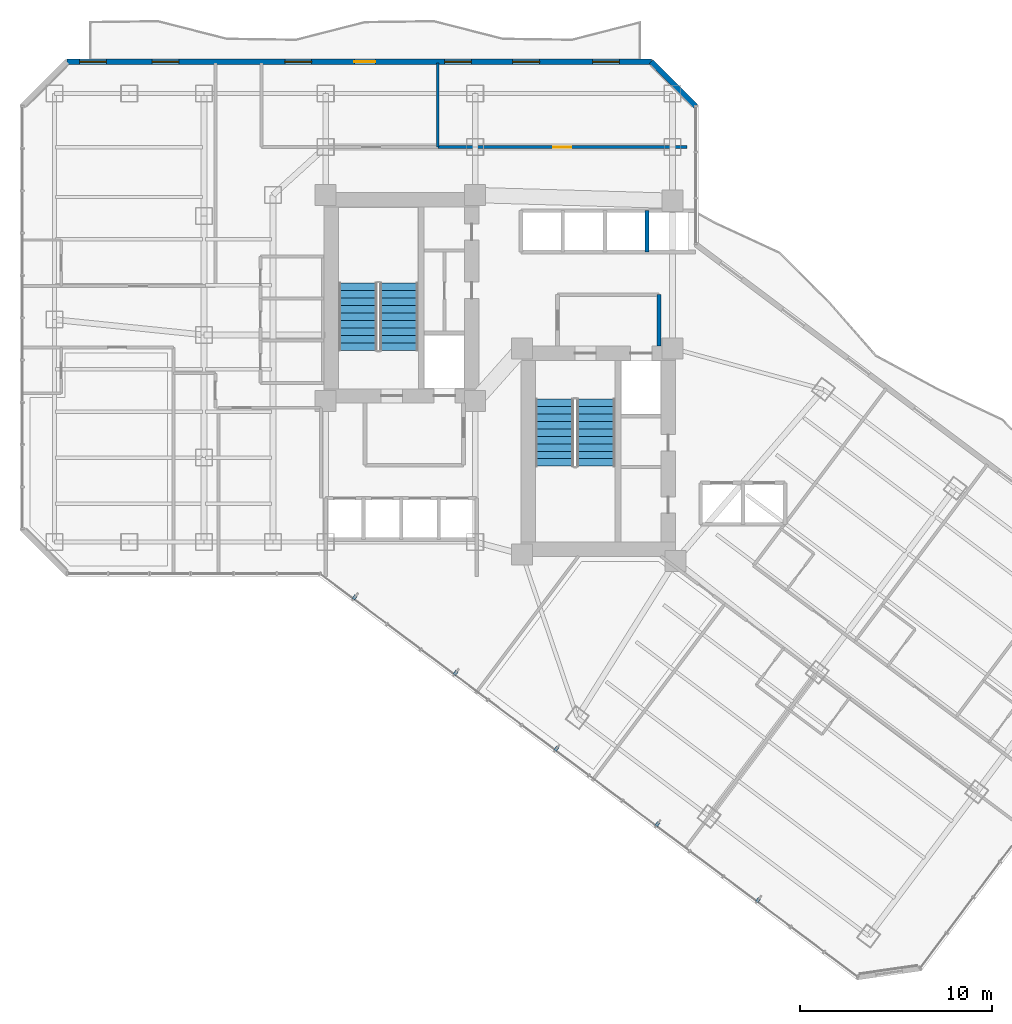
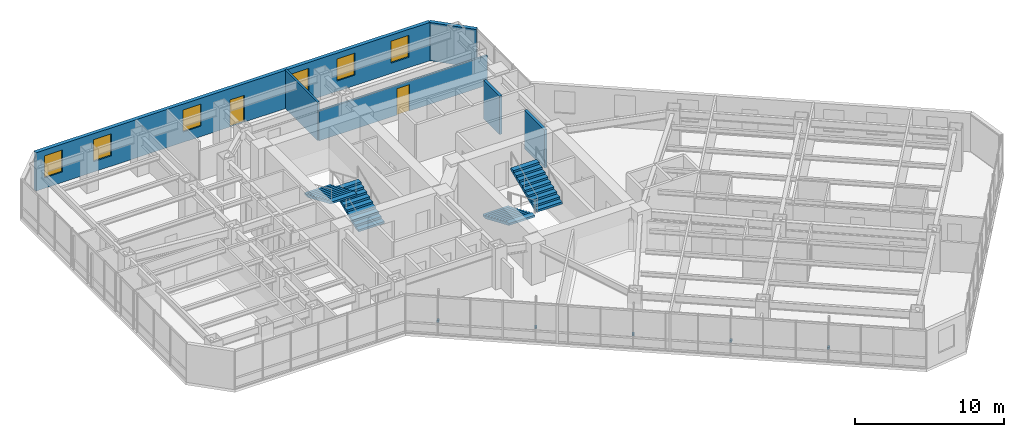
# One storey, part 31 of 36: 6 walls, 6 windows, 5 discrete accessories, 4 stair flights, 2 doors, 8 openings, 2 elements without a shape of their own.
"""IFC4 building model written with IfcOpenShell, lengths in metres."""

from ifc_helpers import new_model, si_unit, direction, frame, frame_2d, origin, origin_2d, place, context, subcontext, project, spatial, polyline, rectangle, outline, extrude, material, layer, layer_set, type_object, element, fill, aggregate, save


model = new_model("IFC4")

# Units and contexts
model_context = context("Model", 3, precision=1e-05, world=origin(), true_north=direction((0.0, 1.0)))
body_context = subcontext(model_context, "Body", "Model", "MODEL_VIEW")
ifc_project = project(units=[si_unit("LENGTHUNIT", "METRE"), si_unit("AREAUNIT", "SQUARE_METRE"), si_unit("VOLUMEUNIT", "CUBIC_METRE"), si_unit("PLANEANGLEUNIT", "RADIAN"), si_unit("MASSUNIT", "GRAM", prefix="KILO")], contexts=[model_context])

# Site, building, storey
site_placement = place(None, origin())
site = spatial("IfcSite", under=ifc_project, at=site_placement, CompositionType="ELEMENT")
building_placement = place(site_placement, origin())
building = spatial("IfcBuilding", under=site, at=building_placement, Name="Hatsunagi Terrace Concourse", CompositionType="ELEMENT")
storey_placement = place(building_placement, frame((0.0, 0.0, 84.64990234375)))
storey = spatial("IfcBuildingStorey", under=building, at=storey_placement, Name="L22", CompositionType="ELEMENT", Elevation=84.64990234375)

# Wall
ifc_material_1 = material(Name="Acoustic mineral board", Category="gypsum")
ifc_layer_1 = layer(ifc_material_1, 0.14990234375)
ifc_layer_set_1 = layer_set([ifc_layer_1], Name="PartitionWall_EI60_150")
wall_type_1 = type_object("IfcWallType", Name="PartitionWall_EI60_150", PredefinedType="PARTITIONING", material=ifc_layer_set_1)
wall_1_placement = place(storey_placement, frame((31.39990234375, 45.800048828125, 0.0), z_axis=(0.0, 0.0, 1.0), x_axis=(0.0, 1.0, 0.0)))
element("IfcWall", 1, at=wall_1_placement, inside=storey, type_object=wall_type_1, Name="Interior Partition IW-L22-040", PredefinedType="PARTITIONING", context=body_context, shape_type="SweptSolid", body=[
    extrude(rectangle(XDim=4.39990234375, YDim=0.14990234375, at=frame_2d((2.199951171875, 0.0))), origin(), (0.0, 0.0, 1.0), 3.130126953125),
])

# Wall, opening, door
wall_2_placement = place(storey_placement, frame((31.39990234375, 45.800048828125, 0.0), z_axis=(0.0, 0.0, 1.0), x_axis=(1.0, 0.0, 0.0)))
wall_2 = element("IfcWall", 2, at=wall_2_placement, inside=storey, type_object=wall_type_1, Name="Interior Partition IW-L22-041", PredefinedType="PARTITIONING", context=body_context, shape_type="SweptSolid", body=[
    extrude(rectangle(XDim=13.0, YDim=0.14990234375, at=frame_2d((6.5, 0.0))), origin(), (0.0, 0.0, 1.0), 2.425048828125),
])
opening_1_placement = place(wall_2_placement, frame((6.02490234375, 0.0, 0.0)))
opening_1 = element("IfcOpeningElement", 3, at=opening_1_placement, cuts=wall_2, Name="Opening DR-095", PredefinedType="OPENING", context=body_context, shape_type="SweptSolid", body=[
    extrude(rectangle(XDim=0.949951171875, YDim=2.14990234375, at=frame_2d((0.47509765625, 1.074951171875))), frame((0.0, 0.0849609375, 0.0), z_axis=(0.0, -1.0, 0.0), x_axis=(1.0, 0.0, 0.0)), (0.0, 0.0, 1.0), 0.169921875),
])
ifc_material_2 = material(Name="Hardwood timber", Category="wood")
door_type_1 = type_object("IfcDoorType", Name="InteriorSuiteDoor_EI30_950", OperationType="NOTDEFINED", PredefinedType="DOOR", material=ifc_material_2)
door_1_placement = place(opening_1_placement, origin())
door_1 = element("IfcDoor", 4, at=door_1_placement, inside=storey, type_object=door_type_1, Name="VIP Lounge L22-HLNG Door", OperationType="SINGLE_SWING_LEFT", OverallHeight=2.14990234375, OverallWidth=0.949951171875, PredefinedType="DOOR", context=body_context, shape_type="SweptSolid", body=[
    extrude(rectangle(XDim=0.949951171875, YDim=2.14990234375, at=frame_2d((0.47509765625, 1.074951171875))), frame((0.0, 0.02490234375, 0.0), z_axis=(0.0, -1.0, 0.0), x_axis=(1.0, 0.0, 0.0)), (0.0, 0.0, 1.0), 0.050048828125),
])
fill(opening_1, door_1)

# Walls
ifc_material_3 = material(Name="Acoustic mineral board", Category="gypsum")
ifc_layer_2 = layer(ifc_material_3, 0.199951171875)
ifc_layer_set_2 = layer_set([ifc_layer_2], Name="ShaftWall_EI120_200")
wall_type_2 = type_object("IfcWallType", Name="ShaftWall_EI120_200", PredefinedType="STANDARD", material=ifc_layer_set_2)
wall_3_placement = place(storey_placement, frame((42.949951171875, 35.419921875, 0.0), z_axis=(0.0, 0.0, 1.0), x_axis=(0.0, 1.0, 0.0)))
element("IfcWall", 5, at=wall_3_placement, inside=storey, type_object=wall_type_2, Name="Interior Partition IW-L22-010", PredefinedType="STANDARD", context=body_context, shape_type="SweptSolid", body=[
    extrude(rectangle(XDim=2.68017578125, YDim=0.199951171875, at=frame_2d((1.340087890625, 0.0))), origin(), (0.0, 0.0, 1.0), 3.130126953125),
])
wall_4_placement = place(storey_placement, frame((42.320068359375, 40.320068359375, 0.0), z_axis=(0.0, 0.0, 1.0), x_axis=(0.0, 1.0, 0.0)))
element("IfcWall", 6, at=wall_4_placement, inside=storey, type_object=wall_type_2, Name="Interior Partition IW-L22-023", PredefinedType="STANDARD", context=body_context, shape_type="SweptSolid", body=[
    extrude(rectangle(XDim=2.159912109375, YDim=0.199951171875, at=frame_2d((1.080078125, 0.0))), origin(), (0.0, 0.0, 1.0), 3.130126953125),
])

# Wall, openings, door, windows
ifc_material_4 = material(Name="Autoclaved Lightweight Concrete and Terracotta Cladding", Category="masonry")
ifc_layer_3 = layer(ifc_material_4, 0.280029296875)
ifc_layer_set_3 = layer_set([ifc_layer_3], Name="TerracottaSpandrelWall_280")
wall_type_3 = type_object("IfcWallType", Name="TerracottaSpandrelWall_280", PredefinedType="STANDARD", material=ifc_layer_set_3)
wall_5_placement = place(storey_placement, frame((12.05810546875, 50.260009765625, 0.0), z_axis=(0.0, 0.0, 1.0), x_axis=(1.0, 0.0, 0.0)))
wall_5 = element("IfcWall", 7, at=wall_5_placement, inside=storey, type_object=wall_type_3, Name="Exterior Spandrel Wall EW-L22-11", PredefinedType="STANDARD", context=body_context, shape_type="SweptSolid", body=[
    extrude(rectangle(XDim=30.48388671875, YDim=0.280029296875, at=frame_2d((15.241943359375, 0.0))), origin(), (0.0, 0.0, 1.0), 3.130126953125),
])
opening_2_placement = place(wall_5_placement, frame((14.991943359375, 0.0, 0.0)))
opening_2 = element("IfcOpeningElement", 8, at=opening_2_placement, cuts=wall_5, Name="Opening BD-01", PredefinedType="OPENING", context=body_context, shape_type="SweptSolid", body=[
    extrude(rectangle(XDim=1.10009765625, YDim=2.199951171875, at=frame_2d((0.550048828125, 1.10009765625))), frame((0.0, 0.14990234375, 0.0), z_axis=(0.0, -1.0, 0.0), x_axis=(1.0, 0.0, 0.0)), (0.0, 0.0, 1.0), 0.300048828125),
])
opening_3_placement = place(wall_5_placement, frame((0.653076171875, 0.0, 0.85009765625)))
opening_3 = element("IfcOpeningElement", 9, at=opening_3_placement, cuts=wall_5, Name="Opening WIN-02", PredefinedType="OPENING", context=body_context, shape_type="SweptSolid", body=[
    extrude(rectangle(XDim=1.39990234375, YDim=1.800048828125, at=frame_2d((0.699951171875, 0.89990234375))), frame((0.0, 0.14990234375, 0.0), z_axis=(0.0, -1.0, 0.0), x_axis=(1.0, 0.0, 0.0)), (0.0, 0.0, 1.0), 0.300048828125),
])
opening_4_placement = place(wall_5_placement, frame((4.43505859375, 0.0, 0.85009765625)))
opening_4 = element("IfcOpeningElement", 10, at=opening_4_placement, cuts=wall_5, Name="Opening WIN-02", PredefinedType="OPENING", context=body_context, shape_type="SweptSolid", body=[
    extrude(rectangle(XDim=1.39990234375, YDim=1.800048828125, at=frame_2d((0.699951171875, 0.89990234375))), frame((0.0, 0.14990234375, 0.0), z_axis=(0.0, -1.0, 0.0), x_axis=(1.0, 0.0, 0.0)), (0.0, 0.0, 1.0), 0.300048828125),
])
opening_5_placement = place(wall_5_placement, frame((11.361083984375, 0.0, 0.85009765625)))
opening_5 = element("IfcOpeningElement", 11, at=opening_5_placement, cuts=wall_5, Name="Opening WIN-02", PredefinedType="OPENING", context=body_context, shape_type="SweptSolid", body=[
    extrude(rectangle(XDim=1.39990234375, YDim=1.800048828125, at=frame_2d((0.699951171875, 0.89990234375))), frame((0.0, 0.14990234375, 0.0), z_axis=(0.0, -1.0, 0.0), x_axis=(1.0, 0.0, 0.0)), (0.0, 0.0, 1.0), 0.300048828125),
])
opening_6_placement = place(wall_5_placement, frame((19.693115234375, 0.0, 0.85009765625)))
opening_6 = element("IfcOpeningElement", 12, at=opening_6_placement, cuts=wall_5, Name="Opening WIN-02", PredefinedType="OPENING", context=body_context, shape_type="SweptSolid", body=[
    extrude(rectangle(XDim=1.39990234375, YDim=1.800048828125, at=frame_2d((0.699951171875, 0.89990234375))), frame((0.0, 0.14990234375, 0.0), z_axis=(0.0, -1.0, 0.0), x_axis=(1.0, 0.0, 0.0)), (0.0, 0.0, 1.0), 0.300048828125),
])
opening_7_placement = place(wall_5_placement, frame((23.251953125, 0.0, 0.85009765625)))
opening_7 = element("IfcOpeningElement", 13, at=opening_7_placement, cuts=wall_5, Name="Opening WIN-02", PredefinedType="OPENING", context=body_context, shape_type="SweptSolid", body=[
    extrude(rectangle(XDim=1.39990234375, YDim=1.800048828125, at=frame_2d((0.699951171875, 0.89990234375))), frame((0.0, 0.14990234375, 0.0), z_axis=(0.0, -1.0, 0.0), x_axis=(1.0, 0.0, 0.0)), (0.0, 0.0, 1.0), 0.300048828125),
])
opening_8_placement = place(wall_5_placement, frame((27.4169921875, 0.0, 0.85009765625)))
opening_8 = element("IfcOpeningElement", 14, at=opening_8_placement, cuts=wall_5, Name="Opening WIN-02", PredefinedType="OPENING", context=body_context, shape_type="SweptSolid", body=[
    extrude(rectangle(XDim=1.39990234375, YDim=1.800048828125, at=frame_2d((0.699951171875, 0.89990234375))), frame((0.0, 0.14990234375, 0.0), z_axis=(0.0, -1.0, 0.0), x_axis=(1.0, 0.0, 0.0)), (0.0, 0.0, 1.0), 0.300048828125),
])
ifc_material_5 = material(Name="Galvanised Steel and Laminated Safety Glass", Category="steel")
door_type_2 = type_object("IfcDoorType", Name="BalconyTerraceAccessDoor_1100x2200", OperationType="SINGLE_SWING_LEFT", PredefinedType="DOOR", material=ifc_material_5)
door_2_placement = place(opening_2_placement, origin())
door_2 = element("IfcDoor", 15, at=door_2_placement, inside=storey, type_object=door_type_2, Name="Engawa Balcony Door L22-BN", OperationType="SINGLE_SWING_RIGHT", OverallHeight=2.199951171875, OverallWidth=1.10009765625, PredefinedType="DOOR", context=body_context, shape_type="SweptSolid", body=[
    extrude(rectangle(XDim=1.10009765625, YDim=2.199951171875, at=frame_2d((0.550048828125, 1.10009765625))), frame((0.0, 0.02490234375, 0.0), z_axis=(0.0, -1.0, 0.0), x_axis=(1.0, 0.0, 0.0)), (0.0, 0.0, 1.0), 0.050048828125),
])
fill(opening_2, door_2)
ifc_material_6 = material(Name="Thermally Broken Aluminium and Low-E Triple Glazing", Category="aluminium")
window_type = type_object("IfcWindowType", Name="HotelOperableVentWindow_1400x1800", PartitioningType="DOUBLE_PANEL_VERTICAL", PredefinedType="WINDOW", material=ifc_material_6)
window_1_placement = place(opening_3_placement, origin())
window_1 = element("IfcWindow", 16, at=window_1_placement, inside=storey, type_object=window_type, Name="Balcony Daylighting Window L22-11-1", OverallHeight=1.800048828125, OverallWidth=1.39990234375, PartitioningType="SINGLE_PANEL", PredefinedType="WINDOW", context=body_context, shape_type="SweptSolid", body=[
    extrude(rectangle(XDim=1.39990234375, YDim=1.800048828125, at=frame_2d((0.699951171875, 0.89990234375))), frame((0.0, 0.030029296875, 0.0), z_axis=(0.0, -1.0, 0.0), x_axis=(1.0, 0.0, 0.0)), (0.0, 0.0, 1.0), 0.06005859375),
])
fill(opening_3, window_1)
window_2_placement = place(opening_4_placement, origin())
window_2 = element("IfcWindow", 17, at=window_2_placement, inside=storey, type_object=window_type, Name="Balcony Daylighting Window L22-11-2", OverallHeight=1.800048828125, OverallWidth=1.39990234375, PartitioningType="SINGLE_PANEL", PredefinedType="WINDOW", context=body_context, shape_type="SweptSolid", body=[
    extrude(rectangle(XDim=1.39990234375, YDim=1.800048828125, at=frame_2d((0.699951171875, 0.89990234375))), frame((0.0, 0.030029296875, 0.0), z_axis=(0.0, -1.0, 0.0), x_axis=(1.0, 0.0, 0.0)), (0.0, 0.0, 1.0), 0.06005859375),
])
fill(opening_4, window_2)
window_3_placement = place(opening_5_placement, origin())
window_3 = element("IfcWindow", 18, at=window_3_placement, inside=storey, type_object=window_type, Name="Balcony Daylighting Window L22-11-3", OverallHeight=1.800048828125, OverallWidth=1.39990234375, PartitioningType="SINGLE_PANEL", PredefinedType="WINDOW", context=body_context, shape_type="SweptSolid", body=[
    extrude(rectangle(XDim=1.39990234375, YDim=1.800048828125, at=frame_2d((0.699951171875, 0.89990234375))), frame((0.0, 0.030029296875, 0.0), z_axis=(0.0, -1.0, 0.0), x_axis=(1.0, 0.0, 0.0)), (0.0, 0.0, 1.0), 0.06005859375),
])
fill(opening_5, window_3)
window_4_placement = place(opening_6_placement, origin())
window_4 = element("IfcWindow", 19, at=window_4_placement, inside=storey, type_object=window_type, Name="Balcony Daylighting Window L22-11-5", OverallHeight=1.800048828125, OverallWidth=1.39990234375, PartitioningType="SINGLE_PANEL", PredefinedType="WINDOW", context=body_context, shape_type="SweptSolid", body=[
    extrude(rectangle(XDim=1.39990234375, YDim=1.800048828125, at=frame_2d((0.699951171875, 0.89990234375))), frame((0.0, 0.030029296875, 0.0), z_axis=(0.0, -1.0, 0.0), x_axis=(1.0, 0.0, 0.0)), (0.0, 0.0, 1.0), 0.06005859375),
])
fill(opening_6, window_4)
window_5_placement = place(opening_7_placement, origin())
window_5 = element("IfcWindow", 20, at=window_5_placement, inside=storey, type_object=window_type, Name="Balcony Daylighting Window L22-11-6", OverallHeight=1.800048828125, OverallWidth=1.39990234375, PartitioningType="SINGLE_PANEL", PredefinedType="WINDOW", context=body_context, shape_type="SweptSolid", body=[
    extrude(rectangle(XDim=1.39990234375, YDim=1.800048828125, at=frame_2d((0.699951171875, 0.89990234375))), frame((0.0, 0.030029296875, 0.0), z_axis=(0.0, -1.0, 0.0), x_axis=(1.0, 0.0, 0.0)), (0.0, 0.0, 1.0), 0.06005859375),
])
fill(opening_7, window_5)
window_6_placement = place(opening_8_placement, origin())
window_6 = element("IfcWindow", 21, at=window_6_placement, inside=storey, type_object=window_type, Name="Balcony Daylighting Window L22-11-7", OverallHeight=1.800048828125, OverallWidth=1.39990234375, PartitioningType="SINGLE_PANEL", PredefinedType="WINDOW", context=body_context, shape_type="SweptSolid", body=[
    extrude(rectangle(XDim=1.39990234375, YDim=1.800048828125, at=frame_2d((0.699951171875, 0.89990234375))), frame((0.0, 0.030029296875, 0.0), z_axis=(0.0, -1.0, 0.0), x_axis=(1.0, 0.0, 0.0)), (0.0, 0.0, 1.0), 0.06005859375),
])
fill(opening_8, window_6)

# Wall
wall_6_placement = place(storey_placement, frame((42.5419921875, 50.260009765625, 0.0), z_axis=(0.0, 0.0, 1.0), x_axis=(0.707106781187, -0.707106781187, 0.0)))
element("IfcWall", 22, at=wall_6_placement, inside=storey, type_object=wall_type_3, Name="Exterior Spandrel Wall EW-L22-12", PredefinedType="STANDARD", context=body_context, shape_type="SweptSolid", body=[
    extrude(rectangle(XDim=3.2783203125, YDim=0.280029296875, at=frame_2d((1.63916015625, 0.0))), origin(), (0.0, 0.0, 1.0), 3.130126953125),
])

# Stair, stair flights
ifc_material_7 = material(Name="Concrete Fc42", Category="concrete")
stair_type = type_object("IfcStairType", Name="DoglegExitStair_Tower2000_20R_167", PredefinedType="HALF_TURN_STAIR", material=ifc_material_7)
stair_1_placement = place(storey_placement, origin())
stair_1 = element("IfcStair", 23, at=stair_1_placement, inside=storey, type_object=stair_type, Name="L22 Core A Protected Exit Stair ST-A", PredefinedType="HALF_TURN_STAIR")
ifc_material_8 = material(Name="Concrete Fc42", Category="concrete")
stair_flight_type = type_object("IfcStairFlightType", Name="DoglegStairFlight_Tower2000_20R_167", PredefinedType="STRAIGHT", material=ifc_material_8)
stair_flight_1_placement = place(storey_placement, frame((29.3798828125, 35.199951171875, 0.0), z_axis=(0.0, 0.0, 1.0), x_axis=(0.0, 1.0, 0.0)))
stair_flight_1 = element("IfcStairFlight", 24, at=stair_flight_1_placement, type_object=stair_flight_type, Name="ST-A flight 1", NumberOfRisers=10, NumberOfTreads=9, PredefinedType="STRAIGHT", RiserHeight=0.1675, TreadLength=0.39, context=body_context, shape_type="SweptSolid", body=[
    extrude(outline(polyline([(0.0, 0.0), (0.0, 0.16748046875), (0.389892578125, 0.16748046875), (0.389892578125, 0.3349609375), (0.780029296875, 0.3349609375), (0.780029296875, 0.50244140625), (1.169921875, 0.50244140625), (1.169921875, 0.669921875), (1.56005859375, 0.669921875), (1.56005859375, 0.83740234375), (1.949951171875, 0.83740234375), (1.949951171875, 1.0048828125), (2.340087890625, 1.0048828125), (2.340087890625, 1.172607421875), (2.72998046875, 1.172607421875), (2.72998046875, 1.340087890625), (3.1201171875, 1.340087890625), (3.1201171875, 1.507568359375), (3.510009765625, 1.507568359375), (3.510009765625, 1.675048828125), (3.510009765625, 1.34423828125), (0.3798828125, 0.0), (0.0, 0.0)])), frame((0.0, 1.0, 0.0), z_axis=(0.0, -1.0, 0.0), x_axis=(1.0, 0.0, 0.0)), (0.0, 0.0, 1.0), 2.0),
])
stair_flight_2_placement = place(storey_placement, frame((27.22998046875, 38.7099609375, 1.675048828125), z_axis=(0.0, 0.0, 1.0), x_axis=(0.0, -1.0, 0.0)))
stair_flight_2 = element("IfcStairFlight", 25, at=stair_flight_2_placement, type_object=stair_flight_type, Name="ST-A flight 2", NumberOfRisers=10, NumberOfTreads=9, PredefinedType="STRAIGHT", RiserHeight=0.1675, TreadLength=0.39, context=body_context, shape_type="SweptSolid", body=[
    extrude(outline(polyline([(0.0, 0.0), (0.0, 0.16748046875), (0.389892578125, 0.16748046875), (0.389892578125, 0.3349609375), (0.780029296875, 0.3349609375), (0.780029296875, 0.50244140625), (1.169921875, 0.50244140625), (1.169921875, 0.669921875), (1.56005859375, 0.669921875), (1.56005859375, 0.83740234375), (1.949951171875, 0.83740234375), (1.949951171875, 1.0048828125), (2.340087890625, 1.0048828125), (2.340087890625, 1.172607421875), (2.72998046875, 1.172607421875), (2.72998046875, 1.340087890625), (3.1201171875, 1.340087890625), (3.1201171875, 1.507568359375), (3.510009765625, 1.507568359375), (3.510009765625, 1.675048828125), (3.510009765625, 1.34423828125), (0.3798828125, 0.0), (0.0, 0.0)])), frame((0.0, 1.0, 0.0), z_axis=(0.0, -1.0, 0.0), x_axis=(1.0, 0.0, 0.0)), (0.0, 0.0, 1.0), 2.0),
])
aggregate(stair_1, [stair_flight_1, stair_flight_2])

stair_2_placement = place(storey_placement, origin())
stair_2 = element("IfcStair", 26, at=stair_2_placement, inside=storey, type_object=stair_type, Name="L22 Core B Protected Exit Stair ST-B", PredefinedType="HALF_TURN_STAIR")
stair_flight_3_placement = place(storey_placement, frame((37.5, 32.659912109375, 0.0), z_axis=(0.0, 0.0, 1.0), x_axis=(0.0, -1.0, 0.0)))
stair_flight_3 = element("IfcStairFlight", 27, at=stair_flight_3_placement, type_object=stair_flight_type, Name="ST-B flight 1", NumberOfRisers=10, NumberOfTreads=9, PredefinedType="STRAIGHT", RiserHeight=0.1675, TreadLength=0.39, context=body_context, shape_type="SweptSolid", body=[
    extrude(outline(polyline([(0.0, 0.0), (0.0, 0.16748046875), (0.389892578125, 0.16748046875), (0.389892578125, 0.3349609375), (0.780029296875, 0.3349609375), (0.780029296875, 0.50244140625), (1.169921875, 0.50244140625), (1.169921875, 0.669921875), (1.56005859375, 0.669921875), (1.56005859375, 0.83740234375), (1.949951171875, 0.83740234375), (1.949951171875, 1.0048828125), (2.340087890625, 1.0048828125), (2.340087890625, 1.172607421875), (2.72998046875, 1.172607421875), (2.72998046875, 1.340087890625), (3.1201171875, 1.340087890625), (3.1201171875, 1.507568359375), (3.510009765625, 1.507568359375), (3.510009765625, 1.675048828125), (3.510009765625, 1.34423828125), (0.3798828125, 0.0), (0.0, 0.0)])), frame((0.0, 1.0, 0.0), z_axis=(0.0, -1.0, 0.0), x_axis=(1.0, 0.0, 0.0)), (0.0, 0.0, 1.0), 2.0),
])
stair_flight_4_placement = place(storey_placement, frame((39.64990234375, 29.14990234375, 1.675048828125), z_axis=(0.0, 0.0, 1.0), x_axis=(0.0, 1.0, 0.0)))
stair_flight_4 = element("IfcStairFlight", 28, at=stair_flight_4_placement, type_object=stair_flight_type, Name="ST-B flight 2", NumberOfRisers=10, NumberOfTreads=9, PredefinedType="STRAIGHT", RiserHeight=0.1675, TreadLength=0.39, context=body_context, shape_type="SweptSolid", body=[
    extrude(outline(polyline([(0.0, 0.0), (0.0, 0.16748046875), (0.389892578125, 0.16748046875), (0.389892578125, 0.3349609375), (0.780029296875, 0.3349609375), (0.780029296875, 0.50244140625), (1.169921875, 0.50244140625), (1.169921875, 0.669921875), (1.56005859375, 0.669921875), (1.56005859375, 0.83740234375), (1.949951171875, 0.83740234375), (1.949951171875, 1.0048828125), (2.340087890625, 1.0048828125), (2.340087890625, 1.172607421875), (2.72998046875, 1.172607421875), (2.72998046875, 1.340087890625), (3.1201171875, 1.340087890625), (3.1201171875, 1.507568359375), (3.510009765625, 1.507568359375), (3.510009765625, 1.675048828125), (3.510009765625, 1.34423828125), (0.3798828125, 0.0), (0.0, 0.0)])), frame((0.0, 1.0, 0.0), z_axis=(0.0, -1.0, 0.0), x_axis=(1.0, 0.0, 0.0)), (0.0, 0.0, 1.0), 2.0),
])
aggregate(stair_2, [stair_flight_3, stair_flight_4])

# Discrete accessories
ifc_material_9 = material(Name="Stainless Steel SUS316 Bracket", Category="steel")
discrete_accessory_type = type_object("IfcDiscreteAccessoryType", Name="FacadeScreenSupportBracket_SS", PredefinedType="BRACKET", material=ifc_material_9)
for number, where, z_axis, x_axis, name in (
    (29, (48.12109375, 6.52197265625, 0.97021484375), (0.0, 0.0, 1.0), (-0.800003116929, 0.599995844072, 0.0), "Terracotta Screen Bracket BRK-01"),
    (30, (42.85693359375, 10.469970703125, 0.97021484375), (0.0, 0.0, 1.0), (-0.800003116929, 0.599995844072, 0.0), "Terracotta Screen Bracket BRK-01"),
    (31, (37.593994140625, 14.4169921875, 0.97021484375), (0.0, 0.0, 1.0), (-0.800003116929, 0.599995844072, 0.0), "Terracotta Screen Bracket BRK-01"),
    (32, (32.3310546875, 18.364990234375, 0.97021484375), (0.0, 0.0, 1.0), (-0.800003116929, 0.599995844072, 0.0), "Terracotta Screen Bracket BRK-01"),
    (33, (27.06689453125, 22.31201171875, 0.97021484375), (0.0, 0.0, 1.0), (-0.800003116929, 0.599995844072, 0.0), "Terracotta Screen Bracket BRK-01"),
):
    element("IfcDiscreteAccessory", number, at=place(storey_placement, frame(where, z_axis=z_axis, x_axis=x_axis)), inside=storey, type_object=discrete_accessory_type, Name=name, PredefinedType="BRACKET", context=body_context, shape_type="SweptSolid", body=[
        extrude(rectangle(XDim=0.159912109375, YDim=0.239990234375, at=origin_2d()), origin(), (0.0, 0.0, 1.0), 0.159912109375),
    ])

save(model, "model.ifc")
